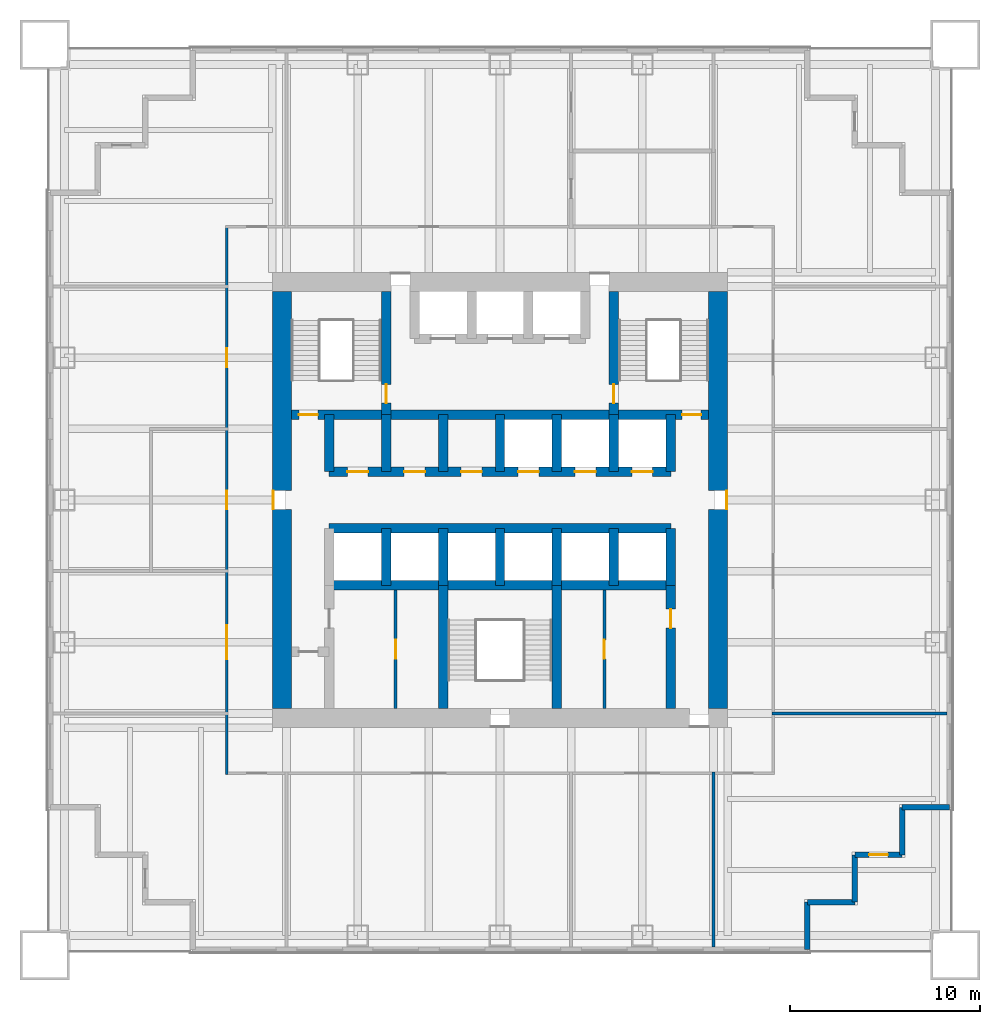
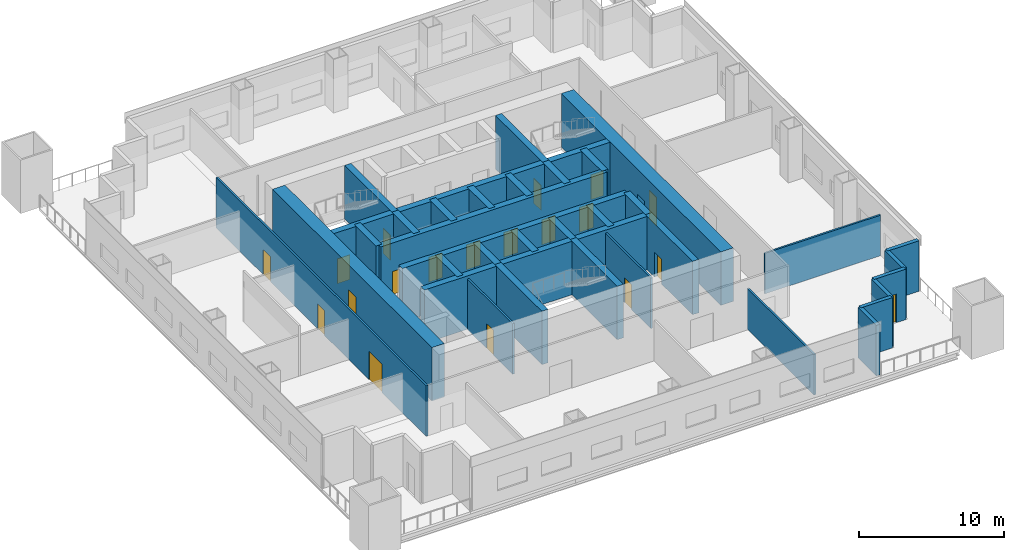
# One storey, part 3 of 7: 35 walls, 19 doors, 19 openings.
"""IFC4 building model written with IfcOpenShell, lengths in metres."""

import ifcopenshell
import ifcopenshell.guid

model = None  # the IFC model being written
_history = None  # IfcOwnerHistory: only IFC2X3 demands one
_inside = {}  # id of a spatial element -> (the spatial element, [elements in it])
_under = {}  # id of a project, library or spatial element -> (it, [spatial elements below it])
_declared = {}  # id of a project -> (the project, [libraries it declares])
_typed = {}  # id of a type object -> (the type object, [elements of that type])
_made_of = {}  # id of a material, layer set ... -> (it, [elements and type objects made of it])


def new_model(schema):
    """Start an empty IFC model of exactly this schema.

    Asked for "IFC4X3", IfcOpenShell would pick the latest addendum, in which some entities
    have other attributes; the version numbers below select the first issue.
    IFC2X3 requires an IfcOwnerHistory on every rooted entity: one is made here for all.
    """
    global model, _history
    if schema == "IFC4X3":
        model = ifcopenshell.file(schema_version=(4, 3, 0, 0))
    else:
        model = ifcopenshell.file(schema=schema)
    _inside.clear()
    _under.clear()
    _declared.clear()
    _typed.clear()
    _made_of.clear()
    _history = None
    if model.schema == "IFC2X3":
        org = make("IfcOrganization", Name="unknown")
        user = make(
            "IfcPersonAndOrganization",
            ThePerson=make("IfcPerson", FamilyName="unknown"),
            TheOrganization=org,
        )
        app = make(
            "IfcApplication",
            ApplicationDeveloper=org,
            Version="unknown",
            ApplicationFullName="unknown",
            ApplicationIdentifier="unknown",
        )
        _history = make(
            "IfcOwnerHistory",
            OwningUser=user,
            OwningApplication=app,
            ChangeAction="ADDED",
            CreationDate=0,
        )
    return model


def make(cls, **values):
    """One entity of the class cls with the attributes given. An attribute that is None is left unset."""
    return model.create_entity(
        cls, **{name: value for name, value in values.items() if value is not None}
    )


def rooted(cls, **values):
    """An entity with a GlobalId (a new one), such as an element, a storey or a relation."""
    return make(cls, GlobalId=ifcopenshell.guid.new(), OwnerHistory=_history, **values)


def si_unit(unit_type, name, prefix=None):
    """IfcSIUnit, for example si_unit("LENGTHUNIT", "METRE", prefix="MILLI")."""
    return make("IfcSIUnit", UnitType=unit_type, Prefix=prefix, Name=name)


def assignment(units):
    """IfcUnitAssignment: the units of a project."""
    return None if units is None else make("IfcUnitAssignment", Units=units)


def point(xyz):
    """IfcCartesianPoint."""
    return None if xyz is None else make("IfcCartesianPoint", Coordinates=xyz)


def direction(xyz):
    """IfcDirection."""
    return None if xyz is None else make("IfcDirection", DirectionRatios=xyz)


def frame(location, z_axis=None, x_axis=None):
    """IfcAxis2Placement3D, a coordinate frame: its origin and axes. An axis left out is left unset."""
    return make(
        "IfcAxis2Placement3D",
        Location=point(location),
        Axis=direction(z_axis),
        RefDirection=direction(x_axis),
    )


def frame_2d(location, x_axis=None):
    """IfcAxis2Placement2D, a coordinate frame in the plane: its origin and x axis."""
    return make(
        "IfcAxis2Placement2D", Location=point(location), RefDirection=direction(x_axis)
    )


def origin():
    """The frame at (0, 0, 0) with its axes left unset."""
    return frame((0.0, 0.0, 0.0))


def place(relative_to, where):
    """IfcLocalPlacement: puts the frame where relative to a parent placement (None: the world)."""
    return make(
        "IfcLocalPlacement", PlacementRelTo=relative_to, RelativePlacement=where
    )


def context(
    kind, dimensions, precision=None, world=None, true_north=None, identifier=None
):
    """IfcGeometricRepresentationContext, for example the 3D "Model" context."""
    return make(
        "IfcGeometricRepresentationContext",
        ContextIdentifier=identifier,
        ContextType=kind,
        CoordinateSpaceDimension=dimensions,
        Precision=precision,
        WorldCoordinateSystem=world,
        TrueNorth=true_north,
    )


def subcontext(parent, identifier, kind, view, scale=None):
    """IfcGeometricRepresentationSubContext, for example "Body" below "Model"."""
    return make(
        "IfcGeometricRepresentationSubContext",
        ContextIdentifier=identifier,
        ContextType=kind,
        ParentContext=parent,
        TargetScale=scale,
        TargetView=view,
    )


def project(units=None, contexts=None):
    """IfcProject with its units and contexts."""
    return rooted(
        "IfcProject",
        Name="project",
        RepresentationContexts=contexts,
        UnitsInContext=assignment(units),
    )


def spatial(cls, under=None, at=None, **own):
    """A site, building, storey or space (cls), placed at a placement, below another one or the project."""
    s = rooted(cls, ObjectPlacement=at, **own)
    if under is not None:
        _under.setdefault(under.id(), (under, []))[1].append(s)
    return s


def profile(cls, at=None, kind="AREA", **sizes):
    """A parametric profile (cls). Its sizes go by their IFC names, for example OverallWidth=200.0."""
    return make(cls, ProfileType=kind, Position=at, **sizes)


def rectangle(**sizes):
    """IfcRectangleProfileDef."""
    return profile("IfcRectangleProfileDef", **sizes)


def extrude(swept, where, along, depth):
    """IfcExtrudedAreaSolid: the profile swept, set in the frame where, extruded along a direction by depth."""
    return make(
        "IfcExtrudedAreaSolid",
        SweptArea=swept,
        Position=where,
        ExtrudedDirection=direction(along),
        Depth=depth,
    )


def shape(context_of_items, identifier, shape_type, items):
    """IfcShapeRepresentation: the items that make up one representation, for example the "Body"."""
    return make(
        "IfcShapeRepresentation",
        ContextOfItems=context_of_items,
        RepresentationIdentifier=identifier,
        RepresentationType=shape_type,
        Items=items,
    )


def material(Name=None, Category=None):
    """IfcMaterial."""
    return make("IfcMaterial", Name=Name, Category=Category)


def layer(
    of_material, thickness, ventilated=None, Name=None, Category=None, Priority=None
):
    """IfcMaterialLayer: one layer of a wall or slab, of a material (None: an air gap)."""
    return make(
        "IfcMaterialLayer",
        Material=of_material,
        LayerThickness=thickness,
        IsVentilated=ventilated,
        Name=Name,
        Category=Category,
        Priority=Priority,
    )


def layer_set(layers, Name=None):
    """IfcMaterialLayerSet."""
    return make("IfcMaterialLayerSet", MaterialLayers=layers, LayerSetName=Name)


def made_of(thing, what):
    """Note that an element or type object is made of a material, layer set ...; save() writes the relation."""
    if what is not None:
        _made_of.setdefault(what.id(), (what, []))[1].append(thing)
    return thing


def type_object(cls, material=None, **own):
    """A type object (cls), such as IfcWallType, which elements share."""
    return made_of(rooted(cls, **own), material)


def element(
    cls,
    number,
    at=None,
    inside=None,
    cuts=None,
    type_object=None,
    material=None,
    context=None,
    identifier="Body",
    shape_type=None,
    held_by="IfcProductDefinitionShape",
    body=None,
    shapes=None,
    **own,
):
    """One element of the class cls, such as IfcWall. Its Tag is "e" and its number.

    at: its placement. inside: the storey or other place that contains it. cuts: it is an
    opening in that element (IfcRelVoidsElement). A single representation is given by context,
    identifier, shape_type and body (its items); several are given by shapes. held_by: the class
    of the entity that holds the representations. save() writes the other relations.
    """
    e = rooted(cls, Tag="e%d" % number, ObjectPlacement=at, **own)
    if body is not None:
        shapes = [shape(context, identifier, shape_type, body)]
    if shapes is not None:
        e.Representation = make(held_by, Representations=shapes)
    if inside is not None:
        _inside.setdefault(inside.id(), (inside, []))[1].append(e)
    if cuts is not None:
        rooted(
            "IfcRelVoidsElement", RelatingBuildingElement=cuts, RelatedOpeningElement=e
        )
    if type_object is not None:
        _typed.setdefault(type_object.id(), (type_object, []))[1].append(e)
    return made_of(e, material)


def fill(opening, filler):
    """IfcRelFillsElement: the door or window that sits in an opening."""
    return rooted(
        "IfcRelFillsElement",
        RelatingOpeningElement=opening,
        RelatedBuildingElement=filler,
    )


def aggregate(whole, parts):
    """IfcRelAggregates: a whole, such as a stair, and the parts it consists of."""
    return rooted("IfcRelAggregates", RelatingObject=whole, RelatedObjects=parts)


def save(model, path):
    """Write the relations noted so far, then the file.

    IfcRelAggregates (storeys below a building ...), IfcRelContainedInSpatialStructure (elements
    in a storey), IfcRelDefinesByType, IfcRelAssociatesMaterial and IfcRelDeclares: one each for
    every whole, place, type object, material and project.
    """
    for whole, parts in _under.values():
        aggregate(whole, parts)
    for where, things in _inside.values():
        rooted(
            "IfcRelContainedInSpatialStructure",
            RelatedElements=things,
            RelatingStructure=where,
        )
    for kind, things in _typed.values():
        rooted("IfcRelDefinesByType", RelatedObjects=things, RelatingType=kind)
    for what, things in _made_of.values():
        rooted("IfcRelAssociatesMaterial", RelatedObjects=things, RelatingMaterial=what)
    for by, libraries in _declared.values():
        rooted("IfcRelDeclares", RelatingContext=by, RelatedDefinitions=libraries)
    model.write(path)


model = new_model("IFC4")

# Units and contexts
model_context = context("Model", 3, precision=1e-05, world=origin(), true_north=direction((0.0, 1.0)))
body_context = subcontext(model_context, "Body", "Model", "MODEL_VIEW")
ifc_project = project(units=[si_unit("LENGTHUNIT", "METRE"), si_unit("AREAUNIT", "SQUARE_METRE"), si_unit("VOLUMEUNIT", "CUBIC_METRE"), si_unit("PLANEANGLEUNIT", "RADIAN"), si_unit("MASSUNIT", "GRAM", prefix="KILO")], contexts=[model_context])

# Site, building, storey
site_placement = place(None, origin())
site = spatial("IfcSite", under=ifc_project, at=site_placement, CompositionType="ELEMENT")
building_placement = place(site_placement, origin())
building = spatial("IfcBuilding", under=site, at=building_placement, Name="Tarangal Relay Tower", CompositionType="ELEMENT")
storey_placement = place(building_placement, frame((0.0, 0.0, 167.39990234375)))
storey = spatial("IfcBuildingStorey", under=building, at=storey_placement, Name="L34", CompositionType="ELEMENT", Elevation=167.39990234375)

# Wall, openings, doors
ifc_material_1 = material(Name="Concrete fc' 60 MPa", Category="concrete")
ifc_layer_1 = layer(ifc_material_1, 0.5)
ifc_layer_set_1 = layer_set([ifc_layer_1], Name="Core inner wall 500")
wall_type_1 = type_object("IfcWallType", Name="Core inner wall 500", PredefinedType="SHEAR", material=ifc_layer_set_1)
wall_1_placement = place(storey_placement, frame((-11.0, 4.5, 0.0), z_axis=(0.0, 0.0, 1.0), x_axis=(1.0, 0.0, 0.0)))
wall_1 = element("IfcWall", 1, at=wall_1_placement, inside=storey, type_object=wall_type_1, Name="Core wall Y45 L34", PredefinedType="SHEAR", context=body_context, shape_type="SweptSolid", body=[
    extrude(rectangle(XDim=22.0, YDim=0.5, at=frame_2d((11.0, 0.0))), origin(), (0.0, 0.0, 1.0), 4.5),
])
opening_1_placement = place(wall_1_placement, frame((0.39990234375, 0.0, 0.0)))
opening_1 = element("IfcOpeningElement", 2, at=opening_1_placement, cuts=wall_1, Name="Opening FD1", PredefinedType="OPENING", context=body_context, shape_type="SweptSolid", body=[
    extrude(rectangle(XDim=1.0, YDim=2.10009765625, at=frame_2d((0.5, 1.050048828125))), frame((0.0, 0.260009765625, 0.0), z_axis=(0.0, -1.0, 0.0), x_axis=(1.0, 0.0, 0.0)), (0.0, 0.0, 1.0), 0.52001953125),
])
opening_2_placement = place(wall_1_placement, frame((20.60009765625, 0.0, 0.0)))
opening_2 = element("IfcOpeningElement", 3, at=opening_2_placement, cuts=wall_1, Name="Opening FD1", PredefinedType="OPENING", context=body_context, shape_type="SweptSolid", body=[
    extrude(rectangle(XDim=1.0, YDim=2.10009765625, at=frame_2d((0.5, 1.050048828125))), frame((0.0, 0.260009765625, 0.0), z_axis=(0.0, -1.0, 0.0), x_axis=(1.0, 0.0, 0.0)), (0.0, 0.0, 1.0), 0.52001953125),
])
ifc_material_2 = material(Name="Steel door with hardwood frame", Category="steel")
door_type_1 = type_object("IfcDoorType", Name="Fire door 1000 x 2100", OperationType="SINGLE_SWING_LEFT", PredefinedType="DOOR", material=ifc_material_2)
door_1_placement = place(opening_1_placement, origin())
door_1 = element("IfcDoor", 4, at=door_1_placement, inside=storey, type_object=door_type_1, Name="Stair ST-A door from corridor L34", OperationType="SINGLE_SWING_LEFT", OverallHeight=2.10009765625, OverallWidth=1.0, PredefinedType="DOOR", context=body_context, shape_type="SweptSolid", body=[
    extrude(rectangle(XDim=1.0, YDim=2.10009765625, at=frame_2d((0.5, 1.050048828125))), frame((0.0, 0.02490234375, 0.0), z_axis=(0.0, -1.0, 0.0), x_axis=(1.0, 0.0, 0.0)), (0.0, 0.0, 1.0), 0.050048828125),
])
fill(opening_1, door_1)
door_2_placement = place(opening_2_placement, origin())
door_2 = element("IfcDoor", 5, at=door_2_placement, inside=storey, type_object=door_type_1, Name="Stair ST-B door from corridor L34", OperationType="SINGLE_SWING_LEFT", OverallHeight=2.10009765625, OverallWidth=1.0, PredefinedType="DOOR", context=body_context, shape_type="SweptSolid", body=[
    extrude(rectangle(XDim=1.0, YDim=2.10009765625, at=frame_2d((0.5, 1.050048828125))), frame((0.0, 0.02490234375, 0.0), z_axis=(0.0, -1.0, 0.0), x_axis=(1.0, 0.0, 0.0)), (0.0, 0.0, 1.0), 0.050048828125),
])
fill(opening_2, door_2)

wall_2_placement = place(storey_placement, frame((-9.0, 1.5, 0.0), z_axis=(0.0, 0.0, 1.0), x_axis=(1.0, 0.0, 0.0)))
wall_2 = element("IfcWall", 6, at=wall_2_placement, inside=storey, type_object=wall_type_1, Name="Core wall Y15 L34", PredefinedType="SHEAR", context=body_context, shape_type="SweptSolid", body=[
    extrude(rectangle(XDim=18.0, YDim=0.5, at=frame_2d((9.0, 0.0))), origin(), (0.0, 0.0, 1.0), 4.5),
])
opening_3_placement = place(wall_2_placement, frame((9.949951171875, 0.0, 0.0)))
opening_3 = element("IfcOpeningElement", 7, at=opening_3_placement, cuts=wall_2, Name="Opening LD1", PredefinedType="OPENING", context=body_context, shape_type="SweptSolid", body=[
    extrude(rectangle(XDim=1.10009765625, YDim=2.10009765625, at=frame_2d((0.550048828125, 1.050048828125))), frame((0.0, 0.260009765625, 0.0), z_axis=(0.0, -1.0, 0.0), x_axis=(1.0, 0.0, 0.0)), (0.0, 0.0, 1.0), 0.52001953125),
])
opening_4_placement = place(wall_2_placement, frame((12.949951171875, 0.0, 0.0)))
opening_4 = element("IfcOpeningElement", 8, at=opening_4_placement, cuts=wall_2, Name="Opening LD1", PredefinedType="OPENING", context=body_context, shape_type="SweptSolid", body=[
    extrude(rectangle(XDim=1.10009765625, YDim=2.10009765625, at=frame_2d((0.550048828125, 1.050048828125))), frame((0.0, 0.260009765625, 0.0), z_axis=(0.0, -1.0, 0.0), x_axis=(1.0, 0.0, 0.0)), (0.0, 0.0, 1.0), 0.52001953125),
])
opening_5_placement = place(wall_2_placement, frame((15.949951171875, 0.0, 0.0)))
opening_5 = element("IfcOpeningElement", 9, at=opening_5_placement, cuts=wall_2, Name="Opening LD1", PredefinedType="OPENING", context=body_context, shape_type="SweptSolid", body=[
    extrude(rectangle(XDim=1.10009765625, YDim=2.10009765625, at=frame_2d((0.550048828125, 1.050048828125))), frame((0.0, 0.260009765625, 0.0), z_axis=(0.0, -1.0, 0.0), x_axis=(1.0, 0.0, 0.0)), (0.0, 0.0, 1.0), 0.52001953125),
])
opening_6_placement = place(wall_2_placement, frame((0.949951171875, 0.0, 0.0)))
opening_6 = element("IfcOpeningElement", 10, at=opening_6_placement, cuts=wall_2, Name="Opening D4", PredefinedType="OPENING", context=body_context, shape_type="SweptSolid", body=[
    extrude(rectangle(XDim=1.10009765625, YDim=2.10009765625, at=frame_2d((0.550048828125, 1.050048828125))), frame((0.0, 0.260009765625, 0.0), z_axis=(0.0, -1.0, 0.0), x_axis=(1.0, 0.0, 0.0)), (0.0, 0.0, 1.0), 0.52001953125),
])
opening_7_placement = place(wall_2_placement, frame((3.949951171875, 0.0, 0.0)))
opening_7 = element("IfcOpeningElement", 11, at=opening_7_placement, cuts=wall_2, Name="Opening D4", PredefinedType="OPENING", context=body_context, shape_type="SweptSolid", body=[
    extrude(rectangle(XDim=1.10009765625, YDim=2.10009765625, at=frame_2d((0.550048828125, 1.050048828125))), frame((0.0, 0.260009765625, 0.0), z_axis=(0.0, -1.0, 0.0), x_axis=(1.0, 0.0, 0.0)), (0.0, 0.0, 1.0), 0.52001953125),
])
opening_8_placement = place(wall_2_placement, frame((6.949951171875, 0.0, 0.0)))
opening_8 = element("IfcOpeningElement", 12, at=opening_8_placement, cuts=wall_2, Name="Opening D4", PredefinedType="OPENING", context=body_context, shape_type="SweptSolid", body=[
    extrude(rectangle(XDim=1.10009765625, YDim=2.10009765625, at=frame_2d((0.550048828125, 1.050048828125))), frame((0.0, 0.260009765625, 0.0), z_axis=(0.0, -1.0, 0.0), x_axis=(1.0, 0.0, 0.0)), (0.0, 0.0, 1.0), 0.52001953125),
])
door_type_2 = type_object("IfcDoorType", Name="Core room door 1100 x 2100", OperationType="SINGLE_SWING_RIGHT", PredefinedType="DOOR", material=ifc_material_2)
door_3_placement = place(opening_6_placement, origin())
door_3 = element("IfcDoor", 13, at=door_3_placement, inside=storey, type_object=door_type_2, Name="Door D4 to staff pantry L34-D1", OperationType="SINGLE_SWING_RIGHT", OverallHeight=2.10009765625, OverallWidth=1.10009765625, PredefinedType="DOOR", context=body_context, shape_type="SweptSolid", body=[
    extrude(rectangle(XDim=1.10009765625, YDim=2.10009765625, at=frame_2d((0.550048828125, 1.050048828125))), frame((0.0, 0.02490234375, 0.0), z_axis=(0.0, -1.0, 0.0), x_axis=(1.0, 0.0, 0.0)), (0.0, 0.0, 1.0), 0.050048828125),
])
fill(opening_6, door_3)
door_4_placement = place(opening_7_placement, origin())
door_4 = element("IfcDoor", 14, at=door_4_placement, inside=storey, type_object=door_type_2, Name="Door D4 to staff wc L34-D2", OperationType="SINGLE_SWING_RIGHT", OverallHeight=2.10009765625, OverallWidth=1.10009765625, PredefinedType="DOOR", context=body_context, shape_type="SweptSolid", body=[
    extrude(rectangle(XDim=1.10009765625, YDim=2.10009765625, at=frame_2d((0.550048828125, 1.050048828125))), frame((0.0, 0.02490234375, 0.0), z_axis=(0.0, -1.0, 0.0), x_axis=(1.0, 0.0, 0.0)), (0.0, 0.0, 1.0), 0.050048828125),
])
fill(opening_7, door_4)
door_5_placement = place(opening_8_placement, origin())
door_5 = element("IfcDoor", 15, at=door_5_placement, inside=storey, type_object=door_type_2, Name="Door D4 to cleaner's store L34-D3", OperationType="SINGLE_SWING_RIGHT", OverallHeight=2.10009765625, OverallWidth=1.10009765625, PredefinedType="DOOR", context=body_context, shape_type="SweptSolid", body=[
    extrude(rectangle(XDim=1.10009765625, YDim=2.10009765625, at=frame_2d((0.550048828125, 1.050048828125))), frame((0.0, 0.02490234375, 0.0), z_axis=(0.0, -1.0, 0.0), x_axis=(1.0, 0.0, 0.0)), (0.0, 0.0, 1.0), 0.050048828125),
])
fill(opening_8, door_5)
door_type_3 = type_object("IfcDoorType", Name="Lift landing door 1100 x 2100", OperationType="SLIDING_TO_LEFT", PredefinedType="DOOR", material=ifc_material_2)
door_6_placement = place(opening_3_placement, origin())
door_6 = element("IfcDoor", 16, at=door_6_placement, inside=storey, type_object=door_type_3, Name="Lift T1 landing door L34", OperationType="SLIDING_TO_LEFT", OverallHeight=2.10009765625, OverallWidth=1.10009765625, PredefinedType="DOOR", context=body_context, shape_type="SweptSolid", body=[
    extrude(rectangle(XDim=1.10009765625, YDim=2.10009765625, at=frame_2d((0.550048828125, 1.050048828125))), frame((0.0, 0.02490234375, 0.0), z_axis=(0.0, -1.0, 0.0), x_axis=(1.0, 0.0, 0.0)), (0.0, 0.0, 1.0), 0.050048828125),
])
fill(opening_3, door_6)
door_7_placement = place(opening_4_placement, origin())
door_7 = element("IfcDoor", 17, at=door_7_placement, inside=storey, type_object=door_type_3, Name="Lift T2 landing door L34", OperationType="SLIDING_TO_LEFT", OverallHeight=2.10009765625, OverallWidth=1.10009765625, PredefinedType="DOOR", context=body_context, shape_type="SweptSolid", body=[
    extrude(rectangle(XDim=1.10009765625, YDim=2.10009765625, at=frame_2d((0.550048828125, 1.050048828125))), frame((0.0, 0.02490234375, 0.0), z_axis=(0.0, -1.0, 0.0), x_axis=(1.0, 0.0, 0.0)), (0.0, 0.0, 1.0), 0.050048828125),
])
fill(opening_4, door_7)
door_8_placement = place(opening_5_placement, origin())
door_8 = element("IfcDoor", 18, at=door_8_placement, inside=storey, type_object=door_type_3, Name="Lift T3 landing door L34", OperationType="SLIDING_TO_LEFT", OverallHeight=2.10009765625, OverallWidth=1.10009765625, PredefinedType="DOOR", context=body_context, shape_type="SweptSolid", body=[
    extrude(rectangle(XDim=1.10009765625, YDim=2.10009765625, at=frame_2d((0.550048828125, 1.050048828125))), frame((0.0, 0.02490234375, 0.0), z_axis=(0.0, -1.0, 0.0), x_axis=(1.0, 0.0, 0.0)), (0.0, 0.0, 1.0), 0.050048828125),
])
fill(opening_5, door_8)

# Walls
for number, where, z_axis, x_axis, name in (
    (19, (-9.0, -1.5, 0.0), (0.0, 0.0, 1.0), (1.0, 0.0, 0.0), "Core wall YM15 L34"),
    (20, (-9.0, -4.5, 0.0), (0.0, 0.0, 1.0), (1.0, 0.0, 0.0), "Core wall YM45 L34"),
):
    element("IfcWall", number, at=place(storey_placement, frame(where, z_axis=z_axis, x_axis=x_axis)), inside=storey, type_object=wall_type_1, Name=name, PredefinedType="SHEAR", context=body_context, shape_type="SweptSolid", body=[
        extrude(rectangle(XDim=18.0, YDim=0.5, at=frame_2d((9.0, 0.0))), origin(), (0.0, 0.0, 1.0), 4.5),
    ])
for number, where, z_axis, x_axis, name in (
    (21, (-9.0, 1.5, 0.0), (0.0, 0.0, 1.0), (0.0, 1.0, 0.0), "Core wall XM9N L34"),
    (22, (9.0, 1.5, 0.0), (0.0, 0.0, 1.0), (0.0, 1.0, 0.0), "Core wall X9N L34"),
    (23, (9.0, -4.5, 0.0), (0.0, 0.0, 1.0), (0.0, 1.0, 0.0), "Core wall X9S L34"),
    (24, (-6.0, 1.5, 0.0), (0.0, 0.0, 1.0), (0.0, 1.0, 0.0), "Core wall XM6N L34"),
    (25, (-3.0, 1.5, 0.0), (0.0, 0.0, 1.0), (0.0, 1.0, 0.0), "Core wall XM3N L34"),
    (26, (0.0, 1.5, 0.0), (0.0, 0.0, 1.0), (0.0, 1.0, 0.0), "Core wall X0N L34"),
    (27, (3.0, 1.5, 0.0), (0.0, 0.0, 1.0), (0.0, 1.0, 0.0), "Core wall X3N L34"),
    (28, (6.0, 1.5, 0.0), (0.0, 0.0, 1.0), (0.0, 1.0, 0.0), "Core wall X6N L34"),
    (29, (-6.0, -4.5, 0.0), (0.0, 0.0, 1.0), (0.0, 1.0, 0.0), "Core wall XM6S L34"),
    (30, (-3.0, -4.5, 0.0), (0.0, 0.0, 1.0), (0.0, 1.0, 0.0), "Core wall XM3S L34"),
    (31, (0.0, -4.5, 0.0), (0.0, 0.0, 1.0), (0.0, 1.0, 0.0), "Core wall X0S L34"),
    (32, (3.0, -4.5, 0.0), (0.0, 0.0, 1.0), (0.0, 1.0, 0.0), "Core wall X3S L34"),
    (33, (6.0, -4.5, 0.0), (0.0, 0.0, 1.0), (0.0, 1.0, 0.0), "Core wall X6S L34"),
):
    element("IfcWall", number, at=place(storey_placement, frame(where, z_axis=z_axis, x_axis=x_axis)), inside=storey, type_object=wall_type_1, Name=name, PredefinedType="SHEAR", context=body_context, shape_type="SweptSolid", body=[
        extrude(rectangle(XDim=3.0, YDim=0.5, at=frame_2d((1.5, 0.0))), origin(), (0.0, 0.0, 1.0), 4.5),
    ])

# Wall, opening, door
wall_3_placement = place(storey_placement, frame((-6.0, 4.5, 0.0), z_axis=(0.0, 0.0, 1.0), x_axis=(0.0, 1.0, 0.0)))
wall_3 = element("IfcWall", 34, at=wall_3_placement, inside=storey, type_object=wall_type_1, Name="Core wall XM6 L34", PredefinedType="SHEAR", context=body_context, shape_type="SweptSolid", body=[
    extrude(rectangle(XDim=6.5, YDim=0.5, at=frame_2d((3.25, 0.0))), origin(), (0.0, 0.0, 1.0), 4.5),
])
opening_9_placement = place(wall_3_placement, frame((0.60009765625, 0.0, 0.0)))
opening_9 = element("IfcOpeningElement", 35, at=opening_9_placement, cuts=wall_3, Name="Opening FD1", PredefinedType="OPENING", context=body_context, shape_type="SweptSolid", body=[
    extrude(rectangle(XDim=1.0, YDim=2.10009765625, at=frame_2d((0.5, 1.050048828125))), frame((0.0, 0.260009765625, 0.0), z_axis=(0.0, -1.0, 0.0), x_axis=(1.0, 0.0, 0.0)), (0.0, 0.0, 1.0), 0.52001953125),
])
door_9_placement = place(opening_9_placement, origin())
door_9 = element("IfcDoor", 36, at=door_9_placement, inside=storey, type_object=door_type_1, Name="Stair ST-A door from fire-fighting lobby L34", OperationType="SINGLE_SWING_LEFT", OverallHeight=2.10009765625, OverallWidth=1.0, PredefinedType="DOOR", context=body_context, shape_type="SweptSolid", body=[
    extrude(rectangle(XDim=1.0, YDim=2.10009765625, at=frame_2d((0.5, 1.050048828125))), frame((0.0, 0.02490234375, 0.0), z_axis=(0.0, -1.0, 0.0), x_axis=(1.0, 0.0, 0.0)), (0.0, 0.0, 1.0), 0.050048828125),
])
fill(opening_9, door_9)

wall_4_placement = place(storey_placement, frame((6.0, 4.5, 0.0), z_axis=(0.0, 0.0, 1.0), x_axis=(0.0, 1.0, 0.0)))
wall_4 = element("IfcWall", 37, at=wall_4_placement, inside=storey, type_object=wall_type_1, Name="Core wall X6 L34", PredefinedType="SHEAR", context=body_context, shape_type="SweptSolid", body=[
    extrude(rectangle(XDim=6.5, YDim=0.5, at=frame_2d((3.25, 0.0))), origin(), (0.0, 0.0, 1.0), 4.5),
])
opening_10_placement = place(wall_4_placement, frame((0.60009765625, 0.0, 0.0)))
opening_10 = element("IfcOpeningElement", 38, at=opening_10_placement, cuts=wall_4, Name="Opening FD1", PredefinedType="OPENING", context=body_context, shape_type="SweptSolid", body=[
    extrude(rectangle(XDim=1.0, YDim=2.10009765625, at=frame_2d((0.5, 1.050048828125))), frame((0.0, 0.260009765625, 0.0), z_axis=(0.0, -1.0, 0.0), x_axis=(1.0, 0.0, 0.0)), (0.0, 0.0, 1.0), 0.52001953125),
])
door_10_placement = place(opening_10_placement, origin())
door_10 = element("IfcDoor", 39, at=door_10_placement, inside=storey, type_object=door_type_1, Name="Stair ST-B door from fire-fighting lobby L34", OperationType="SINGLE_SWING_LEFT", OverallHeight=2.10009765625, OverallWidth=1.0, PredefinedType="DOOR", context=body_context, shape_type="SweptSolid", body=[
    extrude(rectangle(XDim=1.0, YDim=2.10009765625, at=frame_2d((0.5, 1.050048828125))), frame((0.0, 0.02490234375, 0.0), z_axis=(0.0, -1.0, 0.0), x_axis=(1.0, 0.0, 0.0)), (0.0, 0.0, 1.0), 0.050048828125),
])
fill(opening_10, door_10)

wall_5_placement = place(storey_placement, frame((9.0, -11.0, 0.0), z_axis=(0.0, 0.0, 1.0), x_axis=(0.0, 1.0, 0.0)))
wall_5 = element("IfcWall", 40, at=wall_5_placement, inside=storey, type_object=wall_type_1, Name="Core wall X9W L34", PredefinedType="SHEAR", context=body_context, shape_type="SweptSolid", body=[
    extrude(rectangle(XDim=6.5, YDim=0.5, at=frame_2d((3.25, 0.0))), origin(), (0.0, 0.0, 1.0), 4.5),
])
opening_11_placement = place(wall_5_placement, frame((4.25, 0.0, 0.0)))
opening_11 = element("IfcOpeningElement", 41, at=opening_11_placement, cuts=wall_5, Name="Opening D1", PredefinedType="OPENING", context=body_context, shape_type="SweptSolid", body=[
    extrude(rectangle(XDim=1.0, YDim=2.10009765625, at=frame_2d((0.5, 1.050048828125))), frame((0.0, 0.260009765625, 0.0), z_axis=(0.0, -1.0, 0.0), x_axis=(1.0, 0.0, 0.0)), (0.0, 0.0, 1.0), 0.52001953125),
])
ifc_material_3 = material(Name="Hardwood door", Category="wood")
door_type_4 = type_object("IfcDoorType", Name="WC door 1000 x 2100", OperationType="SINGLE_SWING_LEFT", PredefinedType="DOOR", material=ifc_material_3)
door_11_placement = place(opening_11_placement, origin())
door_11 = element("IfcDoor", 42, at=door_11_placement, inside=storey, type_object=door_type_4, Name="Female WC door L34", OperationType="SINGLE_SWING_LEFT", OverallHeight=2.10009765625, OverallWidth=1.0, PredefinedType="DOOR", context=body_context, shape_type="SweptSolid", body=[
    extrude(rectangle(XDim=1.0, YDim=2.10009765625, at=frame_2d((0.5, 1.050048828125))), frame((0.0, 0.02490234375, 0.0), z_axis=(0.0, -1.0, 0.0), x_axis=(1.0, 0.0, 0.0)), (0.0, 0.0, 1.0), 0.050048828125),
])
fill(opening_11, door_11)

# Walls
for number, where, z_axis, x_axis, name in (
    (43, (-3.0, -11.0, 0.0), (0.0, 0.0, 1.0), (0.0, 1.0, 0.0), "Core wall XM3W L34"),
    (44, (3.0, -11.0, 0.0), (0.0, 0.0, 1.0), (0.0, 1.0, 0.0), "Core wall X3W L34"),
):
    element("IfcWall", number, at=place(storey_placement, frame(where, z_axis=z_axis, x_axis=x_axis)), inside=storey, type_object=wall_type_1, Name=name, PredefinedType="SHEAR", context=body_context, shape_type="SweptSolid", body=[
        extrude(rectangle(XDim=6.5, YDim=0.5, at=frame_2d((3.25, 0.0))), origin(), (0.0, 0.0, 1.0), 4.5),
    ])

# Wall, opening, door
ifc_layer_2 = layer(ifc_material_1, 1.0)
ifc_layer_set_2 = layer_set([ifc_layer_2], Name="Core wall 1000")
wall_type_2 = type_object("IfcWallType", Name="Core wall 1000", PredefinedType="SHEAR", material=ifc_layer_set_2)
wall_6_placement = place(storey_placement, frame((11.5, 11.0, 0.0), z_axis=(0.0, 0.0, 1.0), x_axis=(0.0, -1.0, 0.0)))
wall_6 = element("IfcWall", 45, at=wall_6_placement, inside=storey, type_object=wall_type_2, Name="Core wall E L34", PredefinedType="SHEAR", context=body_context, shape_type="SweptSolid", body=[
    extrude(rectangle(XDim=22.0, YDim=1.0, at=frame_2d((11.0, 0.0))), origin(), (0.0, 0.0, 1.0), 4.5),
])
opening_12_placement = place(wall_6_placement, frame((10.5, 0.0, 0.0)))
opening_12 = element("IfcOpeningElement", 46, at=opening_12_placement, cuts=wall_6, Name="Opening FD3", PredefinedType="OPENING", context=body_context, shape_type="SweptSolid", body=[
    extrude(rectangle(XDim=1.0, YDim=2.39990234375, at=frame_2d((0.5, 1.199951171875))), frame((0.0, 0.510009765625, 0.0), z_axis=(0.0, -1.0, 0.0), x_axis=(1.0, 0.0, 0.0)), (0.0, 0.0, 1.0), 1.02001953125),
])
door_type_5 = type_object("IfcDoorType", Name="Fire door 1000 x 2400 core entry", OperationType="SINGLE_SWING_RIGHT", PredefinedType="DOOR", material=ifc_material_2)
door_12_placement = place(opening_12_placement, origin())
door_12 = element("IfcDoor", 47, at=door_12_placement, inside=storey, type_object=door_type_5, Name="Core entry door east L34", OperationType="SINGLE_SWING_RIGHT", OverallHeight=2.39990234375, OverallWidth=1.0, PredefinedType="DOOR", context=body_context, shape_type="SweptSolid", body=[
    extrude(rectangle(XDim=1.0, YDim=2.39990234375, at=frame_2d((0.5, 1.199951171875))), frame((0.0, 0.48486328125, 0.0), z_axis=(0.0, -1.0, 0.0), x_axis=(1.0, 0.0, 0.0)), (0.0, 0.0, 1.0), 0.050048828125),
])
fill(opening_12, door_12)

wall_7_placement = place(storey_placement, frame((-11.5, -11.0, 0.0), z_axis=(0.0, 0.0, 1.0), x_axis=(0.0, 1.0, 0.0)))
wall_7 = element("IfcWall", 48, at=wall_7_placement, inside=storey, type_object=wall_type_2, Name="Core wall W L34", PredefinedType="SHEAR", context=body_context, shape_type="SweptSolid", body=[
    extrude(rectangle(XDim=22.0, YDim=1.0, at=frame_2d((11.0, 0.0))), origin(), (0.0, 0.0, 1.0), 4.5),
])
opening_13_placement = place(wall_7_placement, frame((10.5, 0.0, 0.0)))
opening_13 = element("IfcOpeningElement", 49, at=opening_13_placement, cuts=wall_7, Name="Opening FD3", PredefinedType="OPENING", context=body_context, shape_type="SweptSolid", body=[
    extrude(rectangle(XDim=1.0, YDim=2.39990234375, at=frame_2d((0.5, 1.199951171875))), frame((0.0, 0.510009765625, 0.0), z_axis=(0.0, -1.0, 0.0), x_axis=(1.0, 0.0, 0.0)), (0.0, 0.0, 1.0), 1.02001953125),
])
door_13_placement = place(opening_13_placement, origin())
door_13 = element("IfcDoor", 50, at=door_13_placement, inside=storey, type_object=door_type_5, Name="Core entry door west L34", OperationType="SINGLE_SWING_RIGHT", OverallHeight=2.39990234375, OverallWidth=1.0, PredefinedType="DOOR", context=body_context, shape_type="SweptSolid", body=[
    extrude(rectangle(XDim=1.0, YDim=2.39990234375, at=frame_2d((0.5, 1.199951171875))), frame((0.0, 0.48486328125, 0.0), z_axis=(0.0, -1.0, 0.0), x_axis=(1.0, 0.0, 0.0)), (0.0, 0.0, 1.0), 0.050048828125),
])
fill(opening_13, door_13)

# Walls
ifc_material_4 = material(Name="Insulated precast concrete fc' 40 MPa", Category="concrete")
ifc_layer_3 = layer(ifc_material_4, 0.300048828125)
ifc_layer_set_3 = layer_set([ifc_layer_3], Name="Insulated precast concrete fc' 40 MPa")
wall_type_3 = type_object("IfcWallType", Name="Facade wall precast 300", PredefinedType="SOLIDWALL", material=ifc_layer_set_3)
for number, where, z_axis, x_axis, name in (
    (51, (23.699951171875, -16.199951171875, 0.0), (0.0, 0.0, 1.0), (-1.0, 0.0, 0.0), "Facade wall E facade L34"),
    (52, (21.199951171875, -16.199951171875, 0.0), (0.0, 0.0, 1.0), (0.0, -1.0, 0.0), "Facade wall E facade L34"),
):
    element("IfcWall", number, at=place(storey_placement, frame(where, z_axis=z_axis, x_axis=x_axis)), inside=storey, type_object=wall_type_3, Name=name, PredefinedType="SOLIDWALL", context=body_context, shape_type="SweptSolid", body=[
        extrude(rectangle(XDim=2.5, YDim=0.300048828125, at=frame_2d((1.25, 0.0))), origin(), (0.0, 0.0, 1.0), 4.25),
    ])

# Wall, opening, door
wall_8_placement = place(storey_placement, frame((21.199951171875, -18.699951171875, 0.0), z_axis=(0.0, 0.0, 1.0), x_axis=(-1.0, 0.0, 0.0)))
wall_8 = element("IfcWall", 53, at=wall_8_placement, inside=storey, type_object=wall_type_3, Name="Facade wall E facade L34", PredefinedType="SOLIDWALL", context=body_context, shape_type="SweptSolid", body=[
    extrude(rectangle(XDim=2.5, YDim=0.300048828125, at=frame_2d((1.25, 0.0))), origin(), (0.0, 0.0, 1.0), 4.25),
])
opening_14_placement = place(wall_8_placement, frame((0.75, 0.0, 0.0)))
opening_14 = element("IfcOpeningElement", 54, at=opening_14_placement, cuts=wall_8, Name="Opening TD1", PredefinedType="OPENING", context=body_context, shape_type="SweptSolid", body=[
    extrude(rectangle(XDim=1.0, YDim=2.39990234375, at=frame_2d((0.5, 1.199951171875))), frame((0.0, 0.159912109375, 0.0), z_axis=(0.0, -1.0, 0.0), x_axis=(1.0, 0.0, 0.0)), (0.0, 0.0, 1.0), 0.320068359375),
])
ifc_material_5 = material(Name="Aluminium glazed door", Category="aluminium")
door_type_6 = type_object("IfcDoorType", Name="Terrace door 1000 x 2400", OperationType="SINGLE_SWING_RIGHT", PredefinedType="DOOR", material=ifc_material_5)
door_14_placement = place(opening_14_placement, origin())
door_14 = element("IfcDoor", 55, at=door_14_placement, inside=storey, type_object=door_type_6, Name="Terrace door TD1 SE L34", OperationType="SINGLE_SWING_RIGHT", OverallHeight=2.39990234375, OverallWidth=1.0, PredefinedType="DOOR", context=body_context, shape_type="SweptSolid", body=[
    extrude(rectangle(XDim=1.0, YDim=2.39990234375, at=frame_2d((0.5, 1.199951171875))), frame((0.0, 0.02490234375, 0.0), z_axis=(0.0, -1.0, 0.0), x_axis=(1.0, 0.0, 0.0)), (0.0, 0.0, 1.0), 0.050048828125),
])
fill(opening_14, door_14)

# Walls
for number, where, z_axis, x_axis, name in (
    (56, (18.699951171875, -18.699951171875, 0.0), (0.0, 0.0, 1.0), (0.0, -1.0, 0.0), "Facade wall E facade L34"),
    (57, (18.699951171875, -21.199951171875, 0.0), (0.0, 0.0, 1.0), (-1.0, 0.0, 0.0), "Facade wall E facade L34"),
    (58, (16.199951171875, -21.199951171875, 0.0), (0.0, 0.0, 1.0), (0.0, -1.0, 0.0), "Facade wall E facade L34"),
):
    element("IfcWall", number, at=place(storey_placement, frame(where, z_axis=z_axis, x_axis=x_axis)), inside=storey, type_object=wall_type_3, Name=name, PredefinedType="SOLIDWALL", context=body_context, shape_type="SweptSolid", body=[
        extrude(rectangle(XDim=2.5, YDim=0.300048828125, at=frame_2d((1.25, 0.0))), origin(), (0.0, 0.0, 1.0), 4.25),
    ])
ifc_material_6 = material(Name="Gypsum board on steel studs", Category="steel")
ifc_layer_4 = layer(ifc_material_6, 0.14990234375)
ifc_layer_set_4 = layer_set([ifc_layer_4], Name="Partition 150")
wall_type_4 = type_object("IfcWallType", Name="Partition 150", PredefinedType="PARTITIONING", material=ifc_layer_set_4)
wall_9_placement = place(storey_placement, frame((14.324951171875, -11.25, 0.0), z_axis=(0.0, 0.0, 1.0), x_axis=(1.0, 0.0, 0.0)))
element("IfcWall", 59, at=wall_9_placement, inside=storey, type_object=wall_type_4, Name="Partition PT1 L34", PredefinedType="PARTITIONING", context=body_context, shape_type="SweptSolid", body=[
    extrude(rectangle(XDim=9.22509765625, YDim=0.14990234375, at=frame_2d((4.612548828125, 0.0))), origin(), (0.0, 0.0, 1.0), 3.409423828125),
])

# Wall, openings, doors
wall_10_placement = place(storey_placement, frame((-14.39990234375, -14.47509765625, 0.0), z_axis=(0.0, 0.0, 1.0), x_axis=(0.0, 1.0, 0.0)))
wall_10 = element("IfcWall", 60, at=wall_10_placement, inside=storey, type_object=wall_type_4, Name="Partition PT1 L34", PredefinedType="PARTITIONING", context=body_context, shape_type="SweptSolid", body=[
    extrude(rectangle(XDim=28.9501953125, YDim=0.14990234375, at=frame_2d((14.47509765625, 0.0))), origin(), (0.0, 0.0, 1.0), 4.25),
])
opening_15_placement = place(wall_10_placement, frame((6.074951171875, 0.0, 0.0)))
opening_15 = element("IfcOpeningElement", 61, at=opening_15_placement, cuts=wall_10, Name="Opening DD1", PredefinedType="OPENING", context=body_context, shape_type="SweptSolid", body=[
    extrude(rectangle(XDim=1.800048828125, YDim=2.39990234375, at=frame_2d((0.89990234375, 1.199951171875))), frame((0.0, 0.0849609375, 0.0), z_axis=(0.0, -1.0, 0.0), x_axis=(1.0, 0.0, 0.0)), (0.0, 0.0, 1.0), 0.169921875),
])
opening_16_placement = place(wall_10_placement, frame((13.97509765625, 0.0, 0.0)))
opening_16 = element("IfcOpeningElement", 62, at=opening_16_placement, cuts=wall_10, Name="Opening D2", PredefinedType="OPENING", context=body_context, shape_type="SweptSolid", body=[
    extrude(rectangle(XDim=1.0, YDim=2.10009765625, at=frame_2d((0.5, 1.050048828125))), frame((0.0, 0.0849609375, 0.0), z_axis=(0.0, -1.0, 0.0), x_axis=(1.0, 0.0, 0.0)), (0.0, 0.0, 1.0), 0.169921875),
])
opening_17_placement = place(wall_10_placement, frame((21.47509765625, 0.0, 0.0)))
opening_17 = element("IfcOpeningElement", 63, at=opening_17_placement, cuts=wall_10, Name="Opening D2", PredefinedType="OPENING", context=body_context, shape_type="SweptSolid", body=[
    extrude(rectangle(XDim=1.0, YDim=2.10009765625, at=frame_2d((0.5, 1.050048828125))), frame((0.0, 0.0849609375, 0.0), z_axis=(0.0, -1.0, 0.0), x_axis=(1.0, 0.0, 0.0)), (0.0, 0.0, 1.0), 0.169921875),
])
door_type_7 = type_object("IfcDoorType", Name="Door 1000 x 2100", OperationType="SINGLE_SWING_LEFT", PredefinedType="DOOR", material=ifc_material_3)
door_15_placement = place(opening_16_placement, origin())
door_15 = element("IfcDoor", 64, at=door_15_placement, inside=storey, type_object=door_type_7, Name="Door D2 to shift handover meeting room L34-10", OperationType="SINGLE_SWING_LEFT", OverallHeight=2.10009765625, OverallWidth=1.0, PredefinedType="DOOR", context=body_context, shape_type="SweptSolid", body=[
    extrude(rectangle(XDim=1.0, YDim=2.10009765625, at=frame_2d((0.5, 1.050048828125))), frame((0.0, 0.02490234375, 0.0), z_axis=(0.0, -1.0, 0.0), x_axis=(1.0, 0.0, 0.0)), (0.0, 0.0, 1.0), 0.050048828125),
])
fill(opening_16, door_15)
door_16_placement = place(opening_17_placement, origin())
door_16 = element("IfcDoor", 65, at=door_16_placement, inside=storey, type_object=door_type_7, Name="Door D2 to carrier office L34-11", OperationType="SINGLE_SWING_LEFT", OverallHeight=2.10009765625, OverallWidth=1.0, PredefinedType="DOOR", context=body_context, shape_type="SweptSolid", body=[
    extrude(rectangle(XDim=1.0, YDim=2.10009765625, at=frame_2d((0.5, 1.050048828125))), frame((0.0, 0.02490234375, 0.0), z_axis=(0.0, -1.0, 0.0), x_axis=(1.0, 0.0, 0.0)), (0.0, 0.0, 1.0), 0.050048828125),
])
fill(opening_17, door_16)
door_type_8 = type_object("IfcDoorType", Name="Equipment double door 1800 x 2400", OperationType="DOUBLE_DOOR_SINGLE_SWING", PredefinedType="DOOR", material=ifc_material_2)
door_17_placement = place(opening_15_placement, origin())
door_17 = element("IfcDoor", 66, at=door_17_placement, inside=storey, type_object=door_type_8, Name="Door DD1 to electrical room L34-09", OperationType="DOUBLE_DOOR_SINGLE_SWING", OverallHeight=2.39990234375, OverallWidth=1.800048828125, PredefinedType="DOOR", context=body_context, shape_type="SweptSolid", body=[
    extrude(rectangle(XDim=1.800048828125, YDim=2.39990234375, at=frame_2d((0.89990234375, 1.199951171875))), frame((0.0, 0.02490234375, 0.0), z_axis=(0.0, -1.0, 0.0), x_axis=(1.0, 0.0, 0.0)), (0.0, 0.0, 1.0), 0.050048828125),
])
fill(opening_15, door_17)

# Wall
wall_11_placement = place(storey_placement, frame((11.25, -23.550048828125, 0.0), z_axis=(0.0, 0.0, 1.0), x_axis=(0.0, 1.0, 0.0)))
element("IfcWall", 67, at=wall_11_placement, inside=storey, type_object=wall_type_4, Name="Partition PT1 L34", PredefinedType="PARTITIONING", context=body_context, shape_type="SweptSolid", body=[
    extrude(rectangle(XDim=9.22509765625, YDim=0.14990234375, at=frame_2d((4.612548828125, 0.0))), origin(), (0.0, 0.0, 1.0), 3.409423828125),
])

# Wall, opening, door
wall_12_placement = place(storey_placement, frame((-5.5, -11.0, 0.0), z_axis=(0.0, 0.0, 1.0), x_axis=(0.0, 1.0, 0.0)))
wall_12 = element("IfcWall", 68, at=wall_12_placement, inside=storey, type_object=wall_type_4, Name="Partition PT1 L34", PredefinedType="PARTITIONING", context=body_context, shape_type="SweptSolid", body=[
    extrude(rectangle(XDim=6.25, YDim=0.14990234375, at=frame_2d((3.125, 0.0))), origin(), (0.0, 0.0, 1.0), 4.25),
])
opening_18_placement = place(wall_12_placement, frame((2.625, 0.0, 0.0)))
opening_18 = element("IfcOpeningElement", 69, at=opening_18_placement, cuts=wall_12, Name="Opening D1", PredefinedType="OPENING", context=body_context, shape_type="SweptSolid", body=[
    extrude(rectangle(XDim=1.0, YDim=2.10009765625, at=frame_2d((0.5, 1.050048828125))), frame((0.0, 0.0849609375, 0.0), z_axis=(0.0, -1.0, 0.0), x_axis=(1.0, 0.0, 0.0)), (0.0, 0.0, 1.0), 0.169921875),
])
door_18_placement = place(opening_18_placement, origin())
door_18 = element("IfcDoor", 70, at=door_18_placement, inside=storey, type_object=door_type_4, Name="Door D1 to male shower and changing room L34-C7B", OperationType="SINGLE_SWING_LEFT", OverallHeight=2.10009765625, OverallWidth=1.0, PredefinedType="DOOR", context=body_context, shape_type="SweptSolid", body=[
    extrude(rectangle(XDim=1.0, YDim=2.10009765625, at=frame_2d((0.5, 1.050048828125))), frame((0.0, 0.02490234375, 0.0), z_axis=(0.0, -1.0, 0.0), x_axis=(1.0, 0.0, 0.0)), (0.0, 0.0, 1.0), 0.050048828125),
])
fill(opening_18, door_18)

wall_13_placement = place(storey_placement, frame((5.5, -11.0, 0.0), z_axis=(0.0, 0.0, 1.0), x_axis=(0.0, 1.0, 0.0)))
wall_13 = element("IfcWall", 71, at=wall_13_placement, inside=storey, type_object=wall_type_4, Name="Partition PT1 L34", PredefinedType="PARTITIONING", context=body_context, shape_type="SweptSolid", body=[
    extrude(rectangle(XDim=6.25, YDim=0.14990234375, at=frame_2d((3.125, 0.0))), origin(), (0.0, 0.0, 1.0), 4.25),
])
opening_19_placement = place(wall_13_placement, frame((2.625, 0.0, 0.0)))
opening_19 = element("IfcOpeningElement", 72, at=opening_19_placement, cuts=wall_13, Name="Opening D1", PredefinedType="OPENING", context=body_context, shape_type="SweptSolid", body=[
    extrude(rectangle(XDim=1.0, YDim=2.10009765625, at=frame_2d((0.5, 1.050048828125))), frame((0.0, 0.0849609375, 0.0), z_axis=(0.0, -1.0, 0.0), x_axis=(1.0, 0.0, 0.0)), (0.0, 0.0, 1.0), 0.169921875),
])
door_19_placement = place(opening_19_placement, origin())
door_19 = element("IfcDoor", 73, at=door_19_placement, inside=storey, type_object=door_type_4, Name="Door D1 to female shower and changing room L34-C10B", OperationType="SINGLE_SWING_LEFT", OverallHeight=2.10009765625, OverallWidth=1.0, PredefinedType="DOOR", context=body_context, shape_type="SweptSolid", body=[
    extrude(rectangle(XDim=1.0, YDim=2.10009765625, at=frame_2d((0.5, 1.050048828125))), frame((0.0, 0.02490234375, 0.0), z_axis=(0.0, -1.0, 0.0), x_axis=(1.0, 0.0, 0.0)), (0.0, 0.0, 1.0), 0.050048828125),
])
fill(opening_19, door_19)

save(model, "model.ifc")
